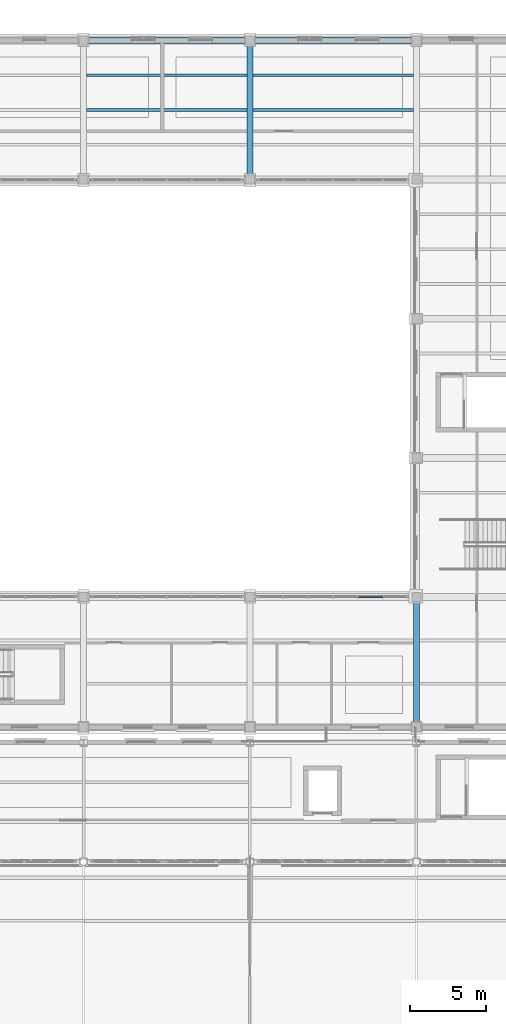
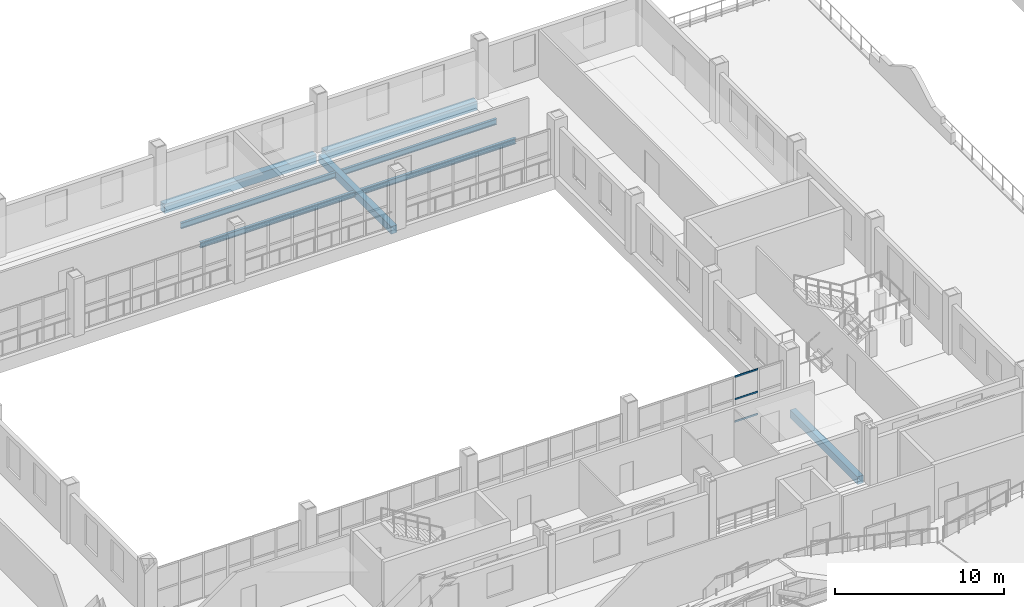
# One storey, part 68 of 120: 8 beams, 3 members, 1 element without a shape of its own.
"""IFC4 building model written with IfcOpenShell, lengths in metres."""

import ifcopenshell
import ifcopenshell.guid

model = None  # the IFC model being written
_history = None  # IfcOwnerHistory: only IFC2X3 demands one
_inside = {}  # id of a spatial element -> (the spatial element, [elements in it])
_under = {}  # id of a project, library or spatial element -> (it, [spatial elements below it])
_declared = {}  # id of a project -> (the project, [libraries it declares])
_typed = {}  # id of a type object -> (the type object, [elements of that type])
_made_of = {}  # id of a material, layer set ... -> (it, [elements and type objects made of it])


def new_model(schema):
    """Start an empty IFC model of exactly this schema.

    Asked for "IFC4X3", IfcOpenShell would pick the latest addendum, in which some entities
    have other attributes; the version numbers below select the first issue.
    IFC2X3 requires an IfcOwnerHistory on every rooted entity: one is made here for all.
    """
    global model, _history
    if schema == "IFC4X3":
        model = ifcopenshell.file(schema_version=(4, 3, 0, 0))
    else:
        model = ifcopenshell.file(schema=schema)
    _inside.clear()
    _under.clear()
    _declared.clear()
    _typed.clear()
    _made_of.clear()
    _history = None
    if model.schema == "IFC2X3":
        org = make("IfcOrganization", Name="unknown")
        user = make(
            "IfcPersonAndOrganization",
            ThePerson=make("IfcPerson", FamilyName="unknown"),
            TheOrganization=org,
        )
        app = make(
            "IfcApplication",
            ApplicationDeveloper=org,
            Version="unknown",
            ApplicationFullName="unknown",
            ApplicationIdentifier="unknown",
        )
        _history = make(
            "IfcOwnerHistory",
            OwningUser=user,
            OwningApplication=app,
            ChangeAction="ADDED",
            CreationDate=0,
        )
    return model


def make(cls, **values):
    """One entity of the class cls with the attributes given. An attribute that is None is left unset."""
    return model.create_entity(
        cls, **{name: value for name, value in values.items() if value is not None}
    )


def rooted(cls, **values):
    """An entity with a GlobalId (a new one), such as an element, a storey or a relation."""
    return make(cls, GlobalId=ifcopenshell.guid.new(), OwnerHistory=_history, **values)


def si_unit(unit_type, name, prefix=None):
    """IfcSIUnit, for example si_unit("LENGTHUNIT", "METRE", prefix="MILLI")."""
    return make("IfcSIUnit", UnitType=unit_type, Prefix=prefix, Name=name)


def assignment(units):
    """IfcUnitAssignment: the units of a project."""
    return None if units is None else make("IfcUnitAssignment", Units=units)


def point(xyz):
    """IfcCartesianPoint."""
    return None if xyz is None else make("IfcCartesianPoint", Coordinates=xyz)


def direction(xyz):
    """IfcDirection."""
    return None if xyz is None else make("IfcDirection", DirectionRatios=xyz)


def frame(location, z_axis=None, x_axis=None):
    """IfcAxis2Placement3D, a coordinate frame: its origin and axes. An axis left out is left unset."""
    return make(
        "IfcAxis2Placement3D",
        Location=point(location),
        Axis=direction(z_axis),
        RefDirection=direction(x_axis),
    )


def frame_2d(location, x_axis=None):
    """IfcAxis2Placement2D, a coordinate frame in the plane: its origin and x axis."""
    return make(
        "IfcAxis2Placement2D", Location=point(location), RefDirection=direction(x_axis)
    )


def origin():
    """The frame at (0, 0, 0) with its axes left unset."""
    return frame((0.0, 0.0, 0.0))


def origin_2d():
    """The frame at (0, 0) in the plane with its x axis left unset."""
    return frame_2d((0.0, 0.0))


def place(relative_to, where):
    """IfcLocalPlacement: puts the frame where relative to a parent placement (None: the world)."""
    return make(
        "IfcLocalPlacement", PlacementRelTo=relative_to, RelativePlacement=where
    )


def context(
    kind, dimensions, precision=None, world=None, true_north=None, identifier=None
):
    """IfcGeometricRepresentationContext, for example the 3D "Model" context."""
    return make(
        "IfcGeometricRepresentationContext",
        ContextIdentifier=identifier,
        ContextType=kind,
        CoordinateSpaceDimension=dimensions,
        Precision=precision,
        WorldCoordinateSystem=world,
        TrueNorth=true_north,
    )


def subcontext(parent, identifier, kind, view, scale=None):
    """IfcGeometricRepresentationSubContext, for example "Body" below "Model"."""
    return make(
        "IfcGeometricRepresentationSubContext",
        ContextIdentifier=identifier,
        ContextType=kind,
        ParentContext=parent,
        TargetScale=scale,
        TargetView=view,
    )


def project(units=None, contexts=None):
    """IfcProject with its units and contexts."""
    return rooted(
        "IfcProject",
        Name="project",
        RepresentationContexts=contexts,
        UnitsInContext=assignment(units),
    )


def spatial(cls, under=None, at=None, **own):
    """A site, building, storey or space (cls), placed at a placement, below another one or the project."""
    s = rooted(cls, ObjectPlacement=at, **own)
    if under is not None:
        _under.setdefault(under.id(), (under, []))[1].append(s)
    return s


def profile(cls, at=None, kind="AREA", **sizes):
    """A parametric profile (cls). Its sizes go by their IFC names, for example OverallWidth=200.0."""
    return make(cls, ProfileType=kind, Position=at, **sizes)


def rectangle(**sizes):
    """IfcRectangleProfileDef."""
    return profile("IfcRectangleProfileDef", **sizes)


def hollow_rectangle(**sizes):
    """IfcRectangleHollowProfileDef."""
    return profile("IfcRectangleHollowProfileDef", **sizes)


def i_section(**sizes):
    """IfcIShapeProfileDef."""
    return profile("IfcIShapeProfileDef", **sizes)


def extrude(swept, where, along, depth):
    """IfcExtrudedAreaSolid: the profile swept, set in the frame where, extruded along a direction by depth."""
    return make(
        "IfcExtrudedAreaSolid",
        SweptArea=swept,
        Position=where,
        ExtrudedDirection=direction(along),
        Depth=depth,
    )


def shape(context_of_items, identifier, shape_type, items):
    """IfcShapeRepresentation: the items that make up one representation, for example the "Body"."""
    return make(
        "IfcShapeRepresentation",
        ContextOfItems=context_of_items,
        RepresentationIdentifier=identifier,
        RepresentationType=shape_type,
        Items=items,
    )


def material(Name=None, Category=None):
    """IfcMaterial."""
    return make("IfcMaterial", Name=Name, Category=Category)


def material_profile(
    of_material, cross_section, Name=None, Category=None, Priority=None
):
    """IfcMaterialProfile: a cross section and its material."""
    return make(
        "IfcMaterialProfile",
        Name=Name,
        Material=of_material,
        Profile=cross_section,
        Priority=Priority,
        Category=Category,
    )


def profile_set(profiles, Name=None, composite=None):
    """IfcMaterialProfileSet."""
    return make(
        "IfcMaterialProfileSet",
        Name=Name,
        MaterialProfiles=profiles,
        CompositeProfile=composite,
    )


def made_of(thing, what):
    """Note that an element or type object is made of a material, layer set ...; save() writes the relation."""
    if what is not None:
        _made_of.setdefault(what.id(), (what, []))[1].append(thing)
    return thing


def type_object(cls, material=None, **own):
    """A type object (cls), such as IfcWallType, which elements share."""
    return made_of(rooted(cls, **own), material)


def element(
    cls,
    number,
    at=None,
    inside=None,
    cuts=None,
    type_object=None,
    material=None,
    context=None,
    identifier="Body",
    shape_type=None,
    held_by="IfcProductDefinitionShape",
    body=None,
    shapes=None,
    **own,
):
    """One element of the class cls, such as IfcWall. Its Tag is "e" and its number.

    at: its placement. inside: the storey or other place that contains it. cuts: it is an
    opening in that element (IfcRelVoidsElement). A single representation is given by context,
    identifier, shape_type and body (its items); several are given by shapes. held_by: the class
    of the entity that holds the representations. save() writes the other relations.
    """
    e = rooted(cls, Tag="e%d" % number, ObjectPlacement=at, **own)
    if body is not None:
        shapes = [shape(context, identifier, shape_type, body)]
    if shapes is not None:
        e.Representation = make(held_by, Representations=shapes)
    if inside is not None:
        _inside.setdefault(inside.id(), (inside, []))[1].append(e)
    if cuts is not None:
        rooted(
            "IfcRelVoidsElement", RelatingBuildingElement=cuts, RelatedOpeningElement=e
        )
    if type_object is not None:
        _typed.setdefault(type_object.id(), (type_object, []))[1].append(e)
    return made_of(e, material)


def aggregate(whole, parts):
    """IfcRelAggregates: a whole, such as a stair, and the parts it consists of."""
    return rooted("IfcRelAggregates", RelatingObject=whole, RelatedObjects=parts)


def save(model, path):
    """Write the relations noted so far, then the file.

    IfcRelAggregates (storeys below a building ...), IfcRelContainedInSpatialStructure (elements
    in a storey), IfcRelDefinesByType, IfcRelAssociatesMaterial and IfcRelDeclares: one each for
    every whole, place, type object, material and project.
    """
    for whole, parts in _under.values():
        aggregate(whole, parts)
    for where, things in _inside.values():
        rooted(
            "IfcRelContainedInSpatialStructure",
            RelatedElements=things,
            RelatingStructure=where,
        )
    for kind, things in _typed.values():
        rooted("IfcRelDefinesByType", RelatedObjects=things, RelatingType=kind)
    for what, things in _made_of.values():
        rooted("IfcRelAssociatesMaterial", RelatedObjects=things, RelatingMaterial=what)
    for by, libraries in _declared.values():
        rooted("IfcRelDeclares", RelatingContext=by, RelatedDefinitions=libraries)
    model.write(path)


model = new_model("IFC4")

# Units and contexts
model_context = context("Model", 3, precision=1e-05, world=origin(), true_north=direction((0.0, 1.0)))
body_context = subcontext(model_context, "Body", "Model", "MODEL_VIEW")
ifc_project = project(units=[si_unit("LENGTHUNIT", "METRE"), si_unit("AREAUNIT", "SQUARE_METRE"), si_unit("VOLUMEUNIT", "CUBIC_METRE"), si_unit("PLANEANGLEUNIT", "RADIAN"), si_unit("MASSUNIT", "GRAM", prefix="KILO")], contexts=[model_context])

# Site, building, storey
site_placement = place(None, origin())
site = spatial("IfcSite", under=ifc_project, at=site_placement, CompositionType="ELEMENT")
building_placement = place(site_placement, origin())
building = spatial("IfcBuilding", under=site, at=building_placement, Name="Caurita Quay Ferry Terminal", CompositionType="ELEMENT")
storey_placement = place(building_placement, frame((0.0, 0.0, 9.89990234375)))
storey = spatial("IfcBuildingStorey", under=building, at=storey_placement, Name="L02", CompositionType="ELEMENT", Elevation=9.89990234375)

# Beams
ifc_material_1 = material(Name="Structural steel ASTM A992 Gr. 50", Category="steel")
ifc_material_profile_1 = material_profile(ifc_material_1, i_section(OverallWidth=0.1787109375, OverallDepth=0.408935546875, WebThickness=0.0087890625, FlangeThickness=0.014404296875, FilletRadius=0.011474609375, at=origin_2d()), Name="W16X45")
ifc_profile_set_1 = profile_set([ifc_material_profile_1], Name="Structural steel ASTM A992 Gr. 50")
beam_type_1 = type_object("IfcBeamType", Name="BM-JS-W16A", PredefinedType="JOIST", material=ifc_profile_set_1)
for number, where, z_axis, x_axis, name in (
    (1, (44.199951171875, 112.39990234375, -0.42431640625), (1.0, 0.0, 0.0), (0.0, 1.0, 0.0), "L02 Beam JS-V5-L02-035"),
    (2, (44.199951171875, 114.699951171875, -0.42431640625), (1.0, 0.0, 0.0), (0.0, 1.0, 0.0), "L02 Beam JS-V5-L02-036"),
    (3, (55.199951171875, 112.39990234375, -0.42431640625), (1.0, 0.0, 0.0), (0.0, 1.0, 0.0), "L02 Beam JS-V5-L02-040"),
    (4, (55.199951171875, 114.699951171875, -0.42431640625), (1.0, 0.0, 0.0), (0.0, 1.0, 0.0), "L02 Beam JS-V5-L02-041"),
):
    element("IfcBeam", number, at=place(storey_placement, frame(where, z_axis=z_axis, x_axis=x_axis)), inside=storey, type_object=beam_type_1, Name=name, PredefinedType="JOIST", context=body_context, shape_type="SweptSolid", body=[
        extrude(i_section(OverallWidth=0.1787109375, OverallDepth=0.408935546875, WebThickness=0.0087890625, FlangeThickness=0.014404296875, FilletRadius=0.011474609375, at=origin_2d()), origin(), (0.0, 0.0, 1.0), 10.60009765625),
    ])
ifc_material_2 = material(Name="Reinforced concrete C35/45", Category="concrete")
ifc_material_profile_2 = material_profile(ifc_material_2, rectangle(XDim=0.39990234375, YDim=0.550048828125, at=origin_2d()), Name="RC-BM-400X550")
ifc_profile_set_2 = profile_set([ifc_material_profile_2], Name="Reinforced concrete C35/45")
beam_type_2 = type_object("IfcBeamType", Name="BM-RC-4055", PredefinedType="BEAM", material=ifc_profile_set_2)
beam_1_placement = place(storey_placement, frame((55.0, 108.097412109375, -0.494873046875), z_axis=(0.0, 1.0, 0.0), x_axis=(-1.0, 0.0, 0.0)))
element("IfcBeam", 5, at=beam_1_placement, inside=storey, type_object=beam_type_2, Name="L02 Beam BM-V5-L02-Y-550-1081", PredefinedType="BEAM", context=body_context, shape_type="SweptSolid", body=[
    extrude(rectangle(XDim=0.39990234375, YDim=0.550048828125, at=origin_2d()), origin(), (0.0, 0.0, 1.0), 8.60498046875),
])
beam_2_placement = place(storey_placement, frame((66.0, 71.8974609375, -0.494873046875), z_axis=(0.0, 1.0, 0.0), x_axis=(-1.0, 0.0, 0.0)))
element("IfcBeam", 6, at=beam_2_placement, inside=storey, type_object=beam_type_2, Name="L02 Beam BM-V5-L02-Y-660-719", PredefinedType="BEAM", context=body_context, shape_type="SweptSolid", body=[
    extrude(rectangle(XDim=0.39990234375, YDim=0.550048828125, at=origin_2d()), origin(), (0.0, 0.0, 1.0), 8.005126953125),
])
ifc_material_profile_3 = material_profile(ifc_material_2, rectangle(XDim=0.449951171875, YDim=0.64990234375, at=origin_2d()), Name="RC-BM-450X650")
ifc_profile_set_3 = profile_set([ifc_material_profile_3], Name="Reinforced concrete C35/45")
beam_type_3 = type_object("IfcBeamType", Name="BM-RC-4565", PredefinedType="BEAM", material=ifc_profile_set_3)
for number, where, z_axis, x_axis, name in (
    (7, (44.297607421875, 117.0, -0.544921875), (1.0, 0.0, 0.0), (0.0, 1.0, 0.0), "L02 Beam BM-V5-L02-X-443-1170"),
    (8, (55.297607421875, 117.0, -0.544921875), (1.0, 0.0, 0.0), (0.0, 1.0, 0.0), "L02 Beam BM-V5-L02-X-553-1170"),
):
    element("IfcBeam", number, at=place(storey_placement, frame(where, z_axis=z_axis, x_axis=x_axis)), inside=storey, type_object=beam_type_3, Name=name, PredefinedType="BEAM", context=body_context, shape_type="SweptSolid", body=[
        extrude(rectangle(XDim=0.449951171875, YDim=0.64990234375, at=origin_2d()), origin(), (0.0, 0.0, 1.0), 10.40478515625),
    ])

# Curtain wall, members
ifc_material_3 = material(Name="Laminated solar-control insulated glass", Category="glass")
curtain_wall_type = type_object("IfcCurtainWallType", Name="CW-SYS-24", PredefinedType="NOTDEFINED", material=ifc_material_3)
curtain_wall_placement = place(storey_placement, origin())
curtain_wall = element("IfcCurtainWall", 9, at=curtain_wall_placement, inside=storey, type_object=curtain_wall_type, Name="L02 Courtyard Cloister Storefront 167", PredefinedType="NOTDEFINED")
ifc_material_4 = material(Name="Anodized aluminium 6063-T6", Category="aluminium")
ifc_material_profile_4 = material_profile(ifc_material_4, hollow_rectangle(XDim=0.06005859375, YDim=0.114990234375, WallThickness=0.00341796875, at=origin_2d()), Name="ALU-TRN-60X115")
ifc_profile_set_4 = profile_set([ifc_material_profile_4], Name="Anodized aluminium 6063-T6")
member_type = type_object("IfcMemberType", Name="CW-TRN-115", PredefinedType="USERDEFINED", material=ifc_profile_set_4)
member_1_placement = place(storey_placement, frame((62.177978515625, 80.199951171875, 0.030029296875), z_axis=(1.0, 0.0, 0.0), x_axis=(0.0, 1.0, 0.0)))
member_1 = element("IfcMember", 10, at=member_1_placement, type_object=member_type, Name="CW-CRT-167 Transom 13", ObjectType="TRANSOM", PredefinedType="USERDEFINED", context=body_context, shape_type="SweptSolid", body=[
    extrude(hollow_rectangle(XDim=0.06005859375, YDim=0.114990234375, WallThickness=0.00341796875, at=origin_2d()), origin(), (0.0, 0.0, 1.0), 1.593994140625),
])
member_2_placement = place(storey_placement, frame((62.177978515625, 80.199951171875, 1.650146484375), z_axis=(1.0, 0.0, 0.0), x_axis=(0.0, 1.0, 0.0)))
member_2 = element("IfcMember", 11, at=member_2_placement, type_object=member_type, Name="CW-CRT-167 Transom 14", ObjectType="TRANSOM", PredefinedType="USERDEFINED", context=body_context, shape_type="SweptSolid", body=[
    extrude(hollow_rectangle(XDim=0.06005859375, YDim=0.114990234375, WallThickness=0.00341796875, at=origin_2d()), origin(), (0.0, 0.0, 1.0), 1.593994140625),
])
member_3_placement = place(storey_placement, frame((62.177978515625, 80.199951171875, 3.27001953125), z_axis=(1.0, 0.0, 0.0), x_axis=(0.0, 1.0, 0.0)))
member_3 = element("IfcMember", 12, at=member_3_placement, type_object=member_type, Name="CW-CRT-167 Transom 15", ObjectType="TRANSOM", PredefinedType="USERDEFINED", context=body_context, shape_type="SweptSolid", body=[
    extrude(hollow_rectangle(XDim=0.06005859375, YDim=0.114990234375, WallThickness=0.00341796875, at=origin_2d()), origin(), (0.0, 0.0, 1.0), 1.593994140625),
])
aggregate(curtain_wall, [member_1, member_2, member_3])

save(model, "model.ifc")
